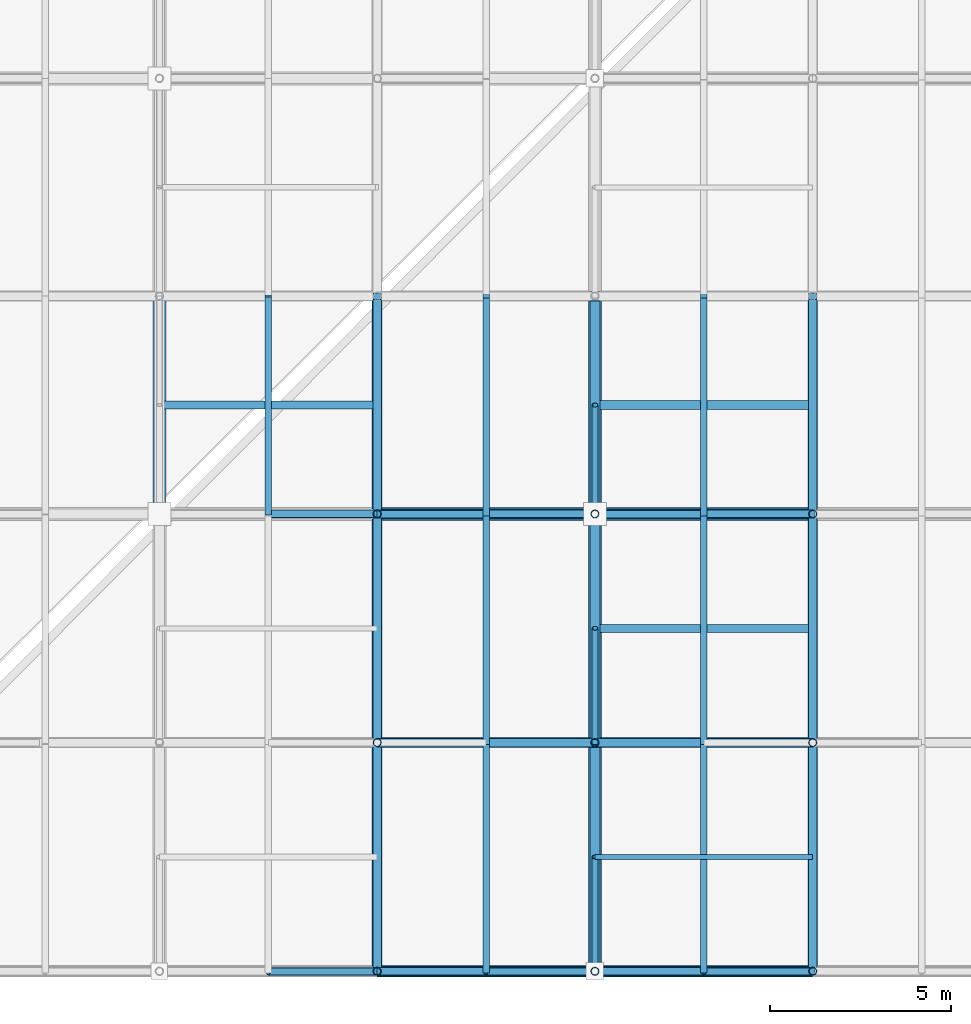
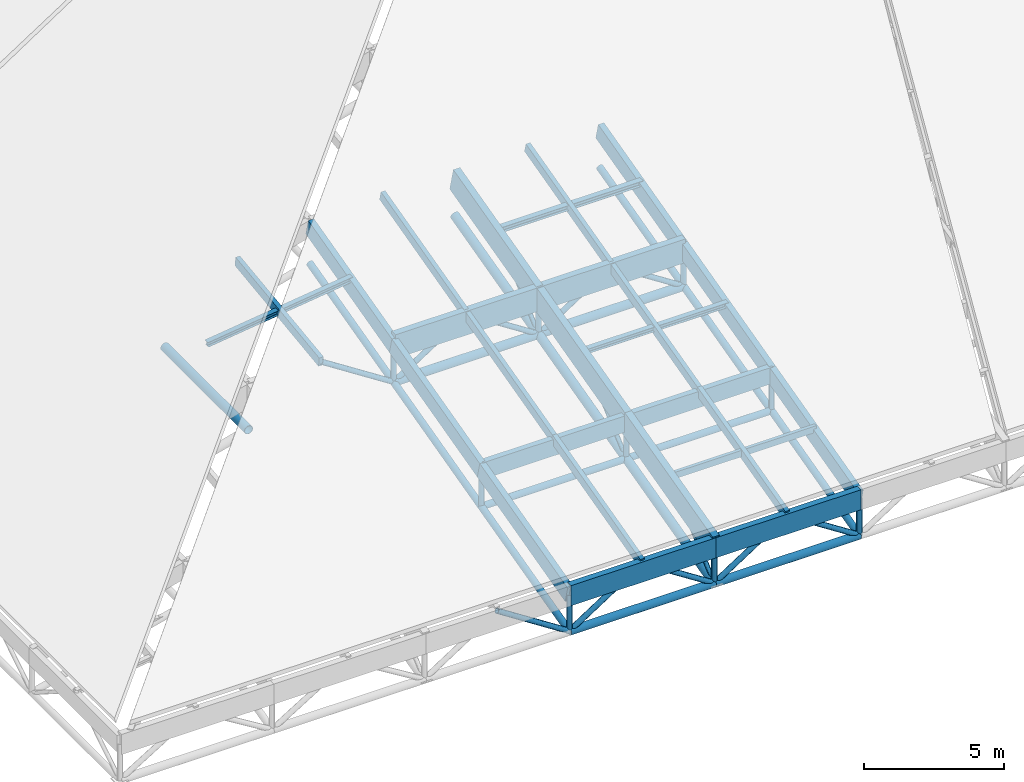
# One storey, part 4 of 80: 64 members.
"""IFC4 building model written with IfcOpenShell, lengths in metres."""

import ifcopenshell
import ifcopenshell.guid

model = None  # the IFC model being written
_history = None  # IfcOwnerHistory: only IFC2X3 demands one
_inside = {}  # id of a spatial element -> (the spatial element, [elements in it])
_under = {}  # id of a project, library or spatial element -> (it, [spatial elements below it])
_declared = {}  # id of a project -> (the project, [libraries it declares])
_typed = {}  # id of a type object -> (the type object, [elements of that type])
_made_of = {}  # id of a material, layer set ... -> (it, [elements and type objects made of it])


def new_model(schema):
    """Start an empty IFC model of exactly this schema.

    Asked for "IFC4X3", IfcOpenShell would pick the latest addendum, in which some entities
    have other attributes; the version numbers below select the first issue.
    IFC2X3 requires an IfcOwnerHistory on every rooted entity: one is made here for all.
    """
    global model, _history
    if schema == "IFC4X3":
        model = ifcopenshell.file(schema_version=(4, 3, 0, 0))
    else:
        model = ifcopenshell.file(schema=schema)
    _inside.clear()
    _under.clear()
    _declared.clear()
    _typed.clear()
    _made_of.clear()
    _history = None
    if model.schema == "IFC2X3":
        org = make("IfcOrganization", Name="unknown")
        user = make(
            "IfcPersonAndOrganization",
            ThePerson=make("IfcPerson", FamilyName="unknown"),
            TheOrganization=org,
        )
        app = make(
            "IfcApplication",
            ApplicationDeveloper=org,
            Version="unknown",
            ApplicationFullName="unknown",
            ApplicationIdentifier="unknown",
        )
        _history = make(
            "IfcOwnerHistory",
            OwningUser=user,
            OwningApplication=app,
            ChangeAction="ADDED",
            CreationDate=0,
        )
    return model


def make(cls, **values):
    """One entity of the class cls with the attributes given. An attribute that is None is left unset."""
    return model.create_entity(
        cls, **{name: value for name, value in values.items() if value is not None}
    )


def rooted(cls, **values):
    """An entity with a GlobalId (a new one), such as an element, a storey or a relation."""
    return make(cls, GlobalId=ifcopenshell.guid.new(), OwnerHistory=_history, **values)


def si_unit(unit_type, name, prefix=None):
    """IfcSIUnit, for example si_unit("LENGTHUNIT", "METRE", prefix="MILLI")."""
    return make("IfcSIUnit", UnitType=unit_type, Prefix=prefix, Name=name)


def assignment(units):
    """IfcUnitAssignment: the units of a project."""
    return None if units is None else make("IfcUnitAssignment", Units=units)


def point(xyz):
    """IfcCartesianPoint."""
    return None if xyz is None else make("IfcCartesianPoint", Coordinates=xyz)


def direction(xyz):
    """IfcDirection."""
    return None if xyz is None else make("IfcDirection", DirectionRatios=xyz)


def frame(location, z_axis=None, x_axis=None):
    """IfcAxis2Placement3D, a coordinate frame: its origin and axes. An axis left out is left unset."""
    return make(
        "IfcAxis2Placement3D",
        Location=point(location),
        Axis=direction(z_axis),
        RefDirection=direction(x_axis),
    )


def frame_2d(location, x_axis=None):
    """IfcAxis2Placement2D, a coordinate frame in the plane: its origin and x axis."""
    return make(
        "IfcAxis2Placement2D", Location=point(location), RefDirection=direction(x_axis)
    )


def origin():
    """The frame at (0, 0, 0) with its axes left unset."""
    return frame((0.0, 0.0, 0.0))


def origin_2d():
    """The frame at (0, 0) in the plane with its x axis left unset."""
    return frame_2d((0.0, 0.0))


def place(relative_to, where):
    """IfcLocalPlacement: puts the frame where relative to a parent placement (None: the world)."""
    return make(
        "IfcLocalPlacement", PlacementRelTo=relative_to, RelativePlacement=where
    )


def context(
    kind, dimensions, precision=None, world=None, true_north=None, identifier=None
):
    """IfcGeometricRepresentationContext, for example the 3D "Model" context."""
    return make(
        "IfcGeometricRepresentationContext",
        ContextIdentifier=identifier,
        ContextType=kind,
        CoordinateSpaceDimension=dimensions,
        Precision=precision,
        WorldCoordinateSystem=world,
        TrueNorth=true_north,
    )


def subcontext(parent, identifier, kind, view, scale=None):
    """IfcGeometricRepresentationSubContext, for example "Body" below "Model"."""
    return make(
        "IfcGeometricRepresentationSubContext",
        ContextIdentifier=identifier,
        ContextType=kind,
        ParentContext=parent,
        TargetScale=scale,
        TargetView=view,
    )


def project(units=None, contexts=None):
    """IfcProject with its units and contexts."""
    return rooted(
        "IfcProject",
        Name="project",
        RepresentationContexts=contexts,
        UnitsInContext=assignment(units),
    )


def spatial(cls, under=None, at=None, **own):
    """A site, building, storey or space (cls), placed at a placement, below another one or the project."""
    s = rooted(cls, ObjectPlacement=at, **own)
    if under is not None:
        _under.setdefault(under.id(), (under, []))[1].append(s)
    return s


def profile(cls, at=None, kind="AREA", **sizes):
    """A parametric profile (cls). Its sizes go by their IFC names, for example OverallWidth=200.0."""
    return make(cls, ProfileType=kind, Position=at, **sizes)


def rectangle(**sizes):
    """IfcRectangleProfileDef."""
    return profile("IfcRectangleProfileDef", **sizes)


def hollow_circle(**sizes):
    """IfcCircleHollowProfileDef."""
    return profile("IfcCircleHollowProfileDef", **sizes)


def i_section(**sizes):
    """IfcIShapeProfileDef."""
    return profile("IfcIShapeProfileDef", **sizes)


def extrude(swept, where, along, depth):
    """IfcExtrudedAreaSolid: the profile swept, set in the frame where, extruded along a direction by depth."""
    return make(
        "IfcExtrudedAreaSolid",
        SweptArea=swept,
        Position=where,
        ExtrudedDirection=direction(along),
        Depth=depth,
    )


def shape(context_of_items, identifier, shape_type, items):
    """IfcShapeRepresentation: the items that make up one representation, for example the "Body"."""
    return make(
        "IfcShapeRepresentation",
        ContextOfItems=context_of_items,
        RepresentationIdentifier=identifier,
        RepresentationType=shape_type,
        Items=items,
    )


def material(Name=None, Category=None):
    """IfcMaterial."""
    return make("IfcMaterial", Name=Name, Category=Category)


def material_profile(
    of_material, cross_section, Name=None, Category=None, Priority=None
):
    """IfcMaterialProfile: a cross section and its material."""
    return make(
        "IfcMaterialProfile",
        Name=Name,
        Material=of_material,
        Profile=cross_section,
        Priority=Priority,
        Category=Category,
    )


def profile_set(profiles, Name=None, composite=None):
    """IfcMaterialProfileSet."""
    return make(
        "IfcMaterialProfileSet",
        Name=Name,
        MaterialProfiles=profiles,
        CompositeProfile=composite,
    )


def made_of(thing, what):
    """Note that an element or type object is made of a material, layer set ...; save() writes the relation."""
    if what is not None:
        _made_of.setdefault(what.id(), (what, []))[1].append(thing)
    return thing


def type_object(cls, material=None, **own):
    """A type object (cls), such as IfcWallType, which elements share."""
    return made_of(rooted(cls, **own), material)


def element(
    cls,
    number,
    at=None,
    inside=None,
    cuts=None,
    type_object=None,
    material=None,
    context=None,
    identifier="Body",
    shape_type=None,
    held_by="IfcProductDefinitionShape",
    body=None,
    shapes=None,
    **own,
):
    """One element of the class cls, such as IfcWall. Its Tag is "e" and its number.

    at: its placement. inside: the storey or other place that contains it. cuts: it is an
    opening in that element (IfcRelVoidsElement). A single representation is given by context,
    identifier, shape_type and body (its items); several are given by shapes. held_by: the class
    of the entity that holds the representations. save() writes the other relations.
    """
    e = rooted(cls, Tag="e%d" % number, ObjectPlacement=at, **own)
    if body is not None:
        shapes = [shape(context, identifier, shape_type, body)]
    if shapes is not None:
        e.Representation = make(held_by, Representations=shapes)
    if inside is not None:
        _inside.setdefault(inside.id(), (inside, []))[1].append(e)
    if cuts is not None:
        rooted(
            "IfcRelVoidsElement", RelatingBuildingElement=cuts, RelatedOpeningElement=e
        )
    if type_object is not None:
        _typed.setdefault(type_object.id(), (type_object, []))[1].append(e)
    return made_of(e, material)


def aggregate(whole, parts):
    """IfcRelAggregates: a whole, such as a stair, and the parts it consists of."""
    return rooted("IfcRelAggregates", RelatingObject=whole, RelatedObjects=parts)


def save(model, path):
    """Write the relations noted so far, then the file.

    IfcRelAggregates (storeys below a building ...), IfcRelContainedInSpatialStructure (elements
    in a storey), IfcRelDefinesByType, IfcRelAssociatesMaterial and IfcRelDeclares: one each for
    every whole, place, type object, material and project.
    """
    for whole, parts in _under.values():
        aggregate(whole, parts)
    for where, things in _inside.values():
        rooted(
            "IfcRelContainedInSpatialStructure",
            RelatedElements=things,
            RelatingStructure=where,
        )
    for kind, things in _typed.values():
        rooted("IfcRelDefinesByType", RelatedObjects=things, RelatingType=kind)
    for what, things in _made_of.values():
        rooted("IfcRelAssociatesMaterial", RelatedObjects=things, RelatingMaterial=what)
    for by, libraries in _declared.values():
        rooted("IfcRelDeclares", RelatingContext=by, RelatedDefinitions=libraries)
    model.write(path)


model = new_model("IFC4")

# Units and contexts
model_context = context("Model", 3, precision=1e-05, world=origin(), true_north=direction((0.0, 1.0)))
body_context = subcontext(model_context, "Body", "Model", "MODEL_VIEW")
ifc_project = project(units=[si_unit("LENGTHUNIT", "METRE"), si_unit("AREAUNIT", "SQUARE_METRE"), si_unit("VOLUMEUNIT", "CUBIC_METRE"), si_unit("PLANEANGLEUNIT", "RADIAN"), si_unit("MASSUNIT", "GRAM", prefix="KILO"), si_unit("THERMODYNAMICTEMPERATUREUNIT", "KELVIN"), si_unit("POWERUNIT", "WATT")], contexts=[model_context])

# Site, building, storey
site_placement = place(None, origin())
site = spatial("IfcSite", under=ifc_project, at=site_placement, CompositionType="ELEMENT")
building_placement = place(site_placement, origin())
building = spatial("IfcBuilding", under=site, at=building_placement, Name="Solmara Park Aquatics Centre", CompositionType="ELEMENT")
storey_placement = place(building_placement, frame((0.0, 0.0, 22.800048828125)))
storey = spatial("IfcBuildingStorey", under=building, at=storey_placement, Name="RF", CompositionType="ELEMENT", Elevation=22.800048828125)

# Members
ifc_material_1 = material(Name="Structural Steel S355", Category="steel")
ifc_material_profile_1 = material_profile(ifc_material_1, hollow_circle(Radius=0.084228515625, WallThickness=0.008056640625, at=origin_2d()), Name="CHS 168.3x8")
ifc_profile_set_1 = profile_set([ifc_material_profile_1], Name="Structural Steel S355")
member_type_1 = type_object("IfcMemberType", Name="STR-BRC-CHS168", PredefinedType="BRACE", material=ifc_profile_set_1)
for number, where, z_axis, x_axis, name in (
    (1, (24.60009765625, 0.0, -14.400146484375), (0.0, 0.748026356938, 0.663669020917), (-1.0, 0.0, 0.0), "Roof Truss Web Diagonal Y 1851"),
    (2, (24.60009765625, 6.300048828125, -12.770751953125), (0.0, 0.748026356938, 0.663669020917), (-1.0, 0.0, 0.0), "Roof Truss Web Diagonal Y 1872"),
):
    element("IfcMember", number, at=place(storey_placement, frame(where, z_axis=z_axis, x_axis=x_axis)), inside=storey, type_object=member_type_1, Name=name, PredefinedType="BRACE", context=body_context, shape_type="SweptSolid", body=[
        extrude(hollow_circle(Radius=0.084228515625, WallThickness=0.008056640625, at=origin_2d()), origin(), (0.0, 0.0, 1.0), 4.2109375),
    ])
member_1_placement = place(storey_placement, frame((24.60009765625, 12.60009765625, -11.141357421875), z_axis=(0.0, 0.736467121275, 0.676473339667), x_axis=(-1.0, 0.0, 0.0)))
element("IfcMember", 3, at=member_1_placement, inside=storey, type_object=member_type_1, Name="Roof Truss Web Diagonal Y 1894", PredefinedType="BRACE", context=body_context, shape_type="SweptSolid", body=[
    extrude(hollow_circle(Radius=0.084228515625, WallThickness=0.008056640625, at=origin_2d()), origin(), (0.0, 0.0, 1.0), 4.073486328125),
])
ifc_material_profile_2 = material_profile(ifc_material_1, hollow_circle(Radius=0.109619140625, WallThickness=0.010009765625, at=origin_2d()), Name="CHS 219.1x10")
ifc_profile_set_2 = profile_set([ifc_material_profile_2], Name="Structural Steel S355")
member_type_2 = type_object("IfcMemberType", Name="STR-BRC-CHS219", PredefinedType="BRACE", material=ifc_profile_set_2)
member_2_placement = place(storey_placement, frame((18.60009765625, 0.0, -14.400146484375), z_axis=(-0.839696636896, 0.0, 0.543055759555), x_axis=(0.0, -1.0, 0.0)))
element("IfcMember", 4, at=member_2_placement, inside=storey, type_object=member_type_2, Name="Roof Truss Web Diagonal X 1410", PredefinedType="BRACE", context=body_context, shape_type="SweptSolid", body=[
    extrude(hollow_circle(Radius=0.109619140625, WallThickness=0.010009765625, at=origin_2d()), origin(), (0.0, 0.0, 1.0), 3.57275390625),
])
member_3_placement = place(storey_placement, frame((18.60009765625, 12.60009765625, -11.141357421875), z_axis=(-0.83972779743, 0.0, 0.543007574738), x_axis=(0.0, -1.0, 0.0)))
element("IfcMember", 5, at=member_3_placement, inside=storey, type_object=member_type_2, Name="Roof Truss Web Diagonal X 1412", PredefinedType="BRACE", context=body_context, shape_type="SweptSolid", body=[
    extrude(hollow_circle(Radius=0.109619140625, WallThickness=0.010009765625, at=origin_2d()), origin(), (0.0, 0.0, 1.0), 3.572509765625),
])
for number, where, z_axis, x_axis, name in (
    (6, (18.60009765625, 0.0, -14.400146484375), (0.839696636896, 0.0, 0.543055759555), (0.0, 1.0, 0.0), "Roof Truss Web Diagonal X 1435"),
    (7, (24.60009765625, 0.0, -14.400146484375), (-0.839696636896, 0.0, 0.543055759555), (0.0, -1.0, 0.0), "Roof Truss Web Diagonal X 1436"),
):
    element("IfcMember", number, at=place(storey_placement, frame(where, z_axis=z_axis, x_axis=x_axis)), inside=storey, type_object=member_type_2, Name=name, PredefinedType="BRACE", context=body_context, shape_type="SweptSolid", body=[
        extrude(hollow_circle(Radius=0.109619140625, WallThickness=0.010009765625, at=origin_2d()), origin(), (0.0, 0.0, 1.0), 3.57275390625),
    ])
for number, where, z_axis, x_axis, name in (
    (8, (18.60009765625, 12.60009765625, -11.141357421875), (0.83972779743, 0.0, 0.543007574738), (0.0, 1.0, 0.0), "Roof Truss Web Diagonal X 1437"),
    (9, (24.60009765625, 12.60009765625, -11.141357421875), (-0.83972779743, 0.0, 0.543007574738), (0.0, -1.0, 0.0), "Roof Truss Web Diagonal X 1438"),
):
    element("IfcMember", number, at=place(storey_placement, frame(where, z_axis=z_axis, x_axis=x_axis)), inside=storey, type_object=member_type_2, Name=name, PredefinedType="BRACE", context=body_context, shape_type="SweptSolid", body=[
        extrude(hollow_circle(Radius=0.109619140625, WallThickness=0.010009765625, at=origin_2d()), origin(), (0.0, 0.0, 1.0), 3.572509765625),
    ])
for number, where, z_axis, x_axis, name in (
    (10, (24.60009765625, 0.0, -14.400146484375), (0.839696636896, 0.0, 0.543055759555), (0.0, 1.0, 0.0), "Roof Truss Web Diagonal X 1461"),
    (11, (30.60009765625, 0.0, -14.400146484375), (-0.839696636896, 0.0, 0.543055759555), (0.0, -1.0, 0.0), "Roof Truss Web Diagonal X 1462"),
):
    element("IfcMember", number, at=place(storey_placement, frame(where, z_axis=z_axis, x_axis=x_axis)), inside=storey, type_object=member_type_2, Name=name, PredefinedType="BRACE", context=body_context, shape_type="SweptSolid", body=[
        extrude(hollow_circle(Radius=0.109619140625, WallThickness=0.010009765625, at=origin_2d()), origin(), (0.0, 0.0, 1.0), 3.57275390625),
    ])
for number, where, z_axis, x_axis, name in (
    (12, (24.60009765625, 12.60009765625, -11.141357421875), (0.83972779743, 0.0, 0.543007574738), (0.0, 1.0, 0.0), "Roof Truss Web Diagonal X 1463"),
    (13, (30.60009765625, 12.60009765625, -11.141357421875), (-0.83972779743, 0.0, 0.543007574738), (0.0, -1.0, 0.0), "Roof Truss Web Diagonal X 1464"),
):
    element("IfcMember", number, at=place(storey_placement, frame(where, z_axis=z_axis, x_axis=x_axis)), inside=storey, type_object=member_type_2, Name=name, PredefinedType="BRACE", context=body_context, shape_type="SweptSolid", body=[
        extrude(hollow_circle(Radius=0.109619140625, WallThickness=0.010009765625, at=origin_2d()), origin(), (0.0, 0.0, 1.0), 3.572509765625),
    ])
ifc_material_profile_3 = material_profile(ifc_material_1, hollow_circle(Radius=0.136474609375, WallThickness=0.012451171875, at=origin_2d()), Name="CHS 273x12.5")
ifc_profile_set_3 = profile_set([ifc_material_profile_3], Name="Structural Steel S355")
member_type_3 = type_object("IfcMemberType", Name="STR-CHD-CHS273", PredefinedType="CHORD", material=ifc_profile_set_3)
for number, where, z_axis, x_axis, name in (
    (14, (18.60009765625, 6.300048828125, -12.770751953125), (1.0, 0.0, 0.0), (0.0, 1.0, 0.0), "Steel Roof Truss Bottom Chord X 0044"),
    (15, (24.60009765625, 6.300048828125, -12.770751953125), (1.0, 0.0, 0.0), (0.0, 1.0, 0.0), "Steel Roof Truss Bottom Chord X 0046"),
):
    element("IfcMember", number, at=place(storey_placement, frame(where, z_axis=z_axis, x_axis=x_axis)), inside=storey, type_object=member_type_3, Name=name, PredefinedType="CHORD", context=body_context, shape_type="SweptSolid", body=[
        extrude(hollow_circle(Radius=0.136474609375, WallThickness=0.012451171875, at=origin_2d()), origin(), (0.0, 0.0, 1.0), 6.0),
    ])
for number, where, z_axis, x_axis, name in (
    (16, (18.60009765625, 0.0, -14.400146484375), (0.0, 0.968144245908, 0.25039312913), (-1.0, 0.0, 0.0), "Steel Roof Truss Bottom Chord Y 0626"),
    (17, (18.60009765625, 6.300048828125, -12.770751953125), (0.0, 0.968144245908, 0.25039312913), (-1.0, 0.0, 0.0), "Steel Roof Truss Bottom Chord Y 0628"),
):
    element("IfcMember", number, at=place(storey_placement, frame(where, z_axis=z_axis, x_axis=x_axis)), inside=storey, type_object=member_type_3, Name=name, PredefinedType="CHORD", context=body_context, shape_type="SweptSolid", body=[
        extrude(hollow_circle(Radius=0.136474609375, WallThickness=0.012451171875, at=origin_2d()), origin(), (0.0, 0.0, 1.0), 6.50732421875),
    ])
member_4_placement = place(storey_placement, frame((18.60009765625, 12.60009765625, -11.141357421875), z_axis=(0.0, 0.968155143395, 0.250350990246), x_axis=(-1.0, 0.0, 0.0)))
element("IfcMember", 18, at=member_4_placement, inside=storey, type_object=member_type_3, Name="Steel Roof Truss Bottom Chord Y 0630", PredefinedType="CHORD", context=body_context, shape_type="SweptSolid", body=[
    extrude(hollow_circle(Radius=0.136474609375, WallThickness=0.012451171875, at=origin_2d()), origin(), (0.0, 0.0, 1.0), 6.197265625),
])
for number, where, z_axis, x_axis, name in (
    (19, (30.60009765625, 0.0, -14.400146484375), (0.0, 0.968144245908, 0.25039312913), (-1.0, 0.0, 0.0), "Steel Roof Truss Bottom Chord Y 0682"),
    (20, (30.60009765625, 6.300048828125, -12.770751953125), (0.0, 0.968144245908, 0.25039312913), (-1.0, 0.0, 0.0), "Steel Roof Truss Bottom Chord Y 0684"),
):
    element("IfcMember", number, at=place(storey_placement, frame(where, z_axis=z_axis, x_axis=x_axis)), inside=storey, type_object=member_type_3, Name=name, PredefinedType="CHORD", context=body_context, shape_type="SweptSolid", body=[
        extrude(hollow_circle(Radius=0.136474609375, WallThickness=0.012451171875, at=origin_2d()), origin(), (0.0, 0.0, 1.0), 6.50732421875),
    ])
member_5_placement = place(storey_placement, frame((30.60009765625, 12.60009765625, -11.141357421875), z_axis=(0.0, 0.968155143395, 0.250350990246), x_axis=(-1.0, 0.0, 0.0)))
element("IfcMember", 21, at=member_5_placement, inside=storey, type_object=member_type_3, Name="Steel Roof Truss Bottom Chord Y 0686", PredefinedType="CHORD", context=body_context, shape_type="SweptSolid", body=[
    extrude(hollow_circle(Radius=0.136474609375, WallThickness=0.012451171875, at=origin_2d()), origin(), (0.0, 0.0, 1.0), 6.197265625),
])
ifc_material_profile_4 = material_profile(ifc_material_1, hollow_circle(Radius=0.161865234375, WallThickness=0.01611328125, at=origin_2d()), Name="CHS 323.9x16")
ifc_profile_set_4 = profile_set([ifc_material_profile_4], Name="Structural Steel S355")
member_type_4 = type_object("IfcMemberType", Name="STR-CHD-CHS323", PredefinedType="CHORD", material=ifc_profile_set_4)
for number, where, z_axis, x_axis, name in (
    (22, (18.60009765625, 0.0, -14.400146484375), (1.0, 0.0, 0.0), (0.0, 1.0, 0.0), "Steel Roof Truss Bottom Chord X 0008"),
    (23, (24.60009765625, 0.0, -14.400146484375), (1.0, 0.0, 0.0), (0.0, 1.0, 0.0), "Steel Roof Truss Bottom Chord X 0010"),
):
    element("IfcMember", number, at=place(storey_placement, frame(where, z_axis=z_axis, x_axis=x_axis)), inside=storey, type_object=member_type_4, Name=name, PredefinedType="CHORD", context=body_context, shape_type="SweptSolid", body=[
        extrude(hollow_circle(Radius=0.161865234375, WallThickness=0.01611328125, at=origin_2d()), origin(), (0.0, 0.0, 1.0), 6.0),
    ])
ifc_material_profile_5 = material_profile(ifc_material_1, hollow_circle(Radius=0.177734375, WallThickness=0.01611328125, at=origin_2d()), Name="CHS 355.6x16")
ifc_profile_set_5 = profile_set([ifc_material_profile_5], Name="Structural Steel S355")
member_type_5 = type_object("IfcMemberType", Name="STR-CHD-CHS355", PredefinedType="CHORD", material=ifc_profile_set_5)
for number, where, z_axis, x_axis, name in (
    (24, (18.60009765625, 12.60009765625, -11.141357421875), (1.0, 0.0, 0.0), (0.0, 1.0, 0.0), "Steel Roof Truss Bottom Chord X 0080"),
    (25, (24.60009765625, 12.60009765625, -11.141357421875), (1.0, 0.0, 0.0), (0.0, 1.0, 0.0), "Steel Roof Truss Bottom Chord X 0082"),
    (26, (12.60009765625, 12.60009765625, -11.141357421875), (0.0, 1.0, 0.0), (-1.0, 0.0, 0.0), "Steel Roof Truss Bottom Chord Y 0602"),
):
    element("IfcMember", number, at=place(storey_placement, frame(where, z_axis=z_axis, x_axis=x_axis)), inside=storey, type_object=member_type_5, Name=name, PredefinedType="CHORD", context=body_context, shape_type="SweptSolid", body=[
        extrude(hollow_circle(Radius=0.177734375, WallThickness=0.01611328125, at=origin_2d()), origin(), (0.0, 0.0, 1.0), 6.0),
    ])
for number, where, z_axis, x_axis, name in (
    (27, (24.60009765625, 0.0, -14.400146484375), (0.0, 0.968144245908, 0.25039312913), (-1.0, 0.0, 0.0), "Steel Roof Truss Bottom Chord Y 0654"),
    (28, (24.60009765625, 6.300048828125, -12.770751953125), (0.0, 0.968144245908, 0.25039312913), (-1.0, 0.0, 0.0), "Steel Roof Truss Bottom Chord Y 0656"),
):
    element("IfcMember", number, at=place(storey_placement, frame(where, z_axis=z_axis, x_axis=x_axis)), inside=storey, type_object=member_type_5, Name=name, PredefinedType="CHORD", context=body_context, shape_type="SweptSolid", body=[
        extrude(hollow_circle(Radius=0.177734375, WallThickness=0.01611328125, at=origin_2d()), origin(), (0.0, 0.0, 1.0), 6.50732421875),
    ])
member_6_placement = place(storey_placement, frame((24.60009765625, 12.60009765625, -11.141357421875), z_axis=(0.0, 0.968155143395, 0.250350990246), x_axis=(-1.0, 0.0, 0.0)))
element("IfcMember", 29, at=member_6_placement, inside=storey, type_object=member_type_5, Name="Steel Roof Truss Bottom Chord Y 0658", PredefinedType="CHORD", context=body_context, shape_type="SweptSolid", body=[
    extrude(hollow_circle(Radius=0.177734375, WallThickness=0.01611328125, at=origin_2d()), origin(), (0.0, 0.0, 1.0), 6.197265625),
])
ifc_material_2 = material(Name="Glulam Timber GL28h", Category="wood")
ifc_material_profile_6 = material_profile(ifc_material_2, rectangle(XDim=0.239990234375, YDim=0.719970703125, at=origin_2d()), Name="GL28h 240x720")
ifc_profile_set_6 = profile_set([ifc_material_profile_6], Name="Glulam Timber GL28h")
member_type_6 = type_object("IfcMemberType", Name="STR-CHD-GL240x720", PredefinedType="CHORD", material=ifc_profile_set_6)
for number, where, z_axis, x_axis, name in (
    (30, (18.60009765625, 6.300048828125, -11.150634765625), (1.0, 0.0, 0.0), (0.0, 1.0, 0.0), "Glulam Roof Truss Top Chord X 0043"),
    (31, (24.60009765625, 6.300048828125, -11.150634765625), (1.0, 0.0, 0.0), (0.0, 1.0, 0.0), "Glulam Roof Truss Top Chord X 0045"),
):
    element("IfcMember", number, at=place(storey_placement, frame(where, z_axis=z_axis, x_axis=x_axis)), inside=storey, type_object=member_type_6, Name=name, PredefinedType="CHORD", context=body_context, shape_type="SweptSolid", body=[
        extrude(rectangle(XDim=0.239990234375, YDim=0.719970703125, at=origin_2d()), origin(), (0.0, 0.0, 1.0), 6.0),
    ])
for number, where, z_axis, x_axis, name in (
    (32, (18.60009765625, 0.0, -12.780029296875), (0.0, 0.968144245908, 0.25039312913), (-1.0, 0.0, 0.0), "Glulam Roof Truss Top Chord Y 0625"),
    (33, (18.60009765625, 6.300048828125, -11.150634765625), (0.0, 0.96815334027, 0.250357963171), (-1.0, 0.0, 0.0), "Glulam Roof Truss Top Chord Y 0627"),
):
    element("IfcMember", number, at=place(storey_placement, frame(where, z_axis=z_axis, x_axis=x_axis)), inside=storey, type_object=member_type_6, Name=name, PredefinedType="CHORD", context=body_context, shape_type="SweptSolid", body=[
        extrude(rectangle(XDim=0.239990234375, YDim=0.719970703125, at=origin_2d()), origin(), (0.0, 0.0, 1.0), 6.50732421875),
    ])
member_7_placement = place(storey_placement, frame((18.60009765625, 12.60009765625, -9.521484375), z_axis=(0.0, 0.968145594442, 0.250387914969), x_axis=(-1.0, 0.0, 0.0)))
element("IfcMember", 34, at=member_7_placement, inside=storey, type_object=member_type_6, Name="Glulam Roof Truss Top Chord Y 0629", PredefinedType="CHORD", context=body_context, shape_type="SweptSolid", body=[
    extrude(rectangle(XDim=0.239990234375, YDim=0.719970703125, at=origin_2d()), origin(), (0.0, 0.0, 1.0), 6.197509765625),
])
for number, where, z_axis, x_axis, name in (
    (35, (30.60009765625, 0.0, -12.780029296875), (0.0, 0.968144245908, 0.25039312913), (-1.0, 0.0, 0.0), "Glulam Roof Truss Top Chord Y 0681"),
    (36, (30.60009765625, 6.300048828125, -11.150634765625), (0.0, 0.96815334027, 0.250357963171), (-1.0, 0.0, 0.0), "Glulam Roof Truss Top Chord Y 0683"),
):
    element("IfcMember", number, at=place(storey_placement, frame(where, z_axis=z_axis, x_axis=x_axis)), inside=storey, type_object=member_type_6, Name=name, PredefinedType="CHORD", context=body_context, shape_type="SweptSolid", body=[
        extrude(rectangle(XDim=0.239990234375, YDim=0.719970703125, at=origin_2d()), origin(), (0.0, 0.0, 1.0), 6.50732421875),
    ])
member_8_placement = place(storey_placement, frame((30.60009765625, 12.60009765625, -9.521484375), z_axis=(0.0, 0.968145594442, 0.250387914969), x_axis=(-1.0, 0.0, 0.0)))
element("IfcMember", 37, at=member_8_placement, inside=storey, type_object=member_type_6, Name="Glulam Roof Truss Top Chord Y 0685", PredefinedType="CHORD", context=body_context, shape_type="SweptSolid", body=[
    extrude(rectangle(XDim=0.239990234375, YDim=0.719970703125, at=origin_2d()), origin(), (0.0, 0.0, 1.0), 6.197509765625),
])
ifc_material_profile_7 = material_profile(ifc_material_2, rectangle(XDim=0.260009765625, YDim=0.8798828125, at=origin_2d()), Name="GL28h 260x880")
ifc_profile_set_7 = profile_set([ifc_material_profile_7], Name="Glulam Timber GL28h")
member_type_7 = type_object("IfcMemberType", Name="STR-CHD-GL260x880", PredefinedType="CHORD", material=ifc_profile_set_7)
for number, where, z_axis, x_axis, name in (
    (38, (18.60009765625, 0.0, -12.780029296875), (1.0, 0.0, 0.0), (0.0, 1.0, 0.0), "Glulam Roof Truss Top Chord X 0007"),
    (39, (24.60009765625, 0.0, -12.780029296875), (1.0, 0.0, 0.0), (0.0, 1.0, 0.0), "Glulam Roof Truss Top Chord X 0009"),
):
    element("IfcMember", number, at=place(storey_placement, frame(where, z_axis=z_axis, x_axis=x_axis)), inside=storey, type_object=member_type_7, Name=name, PredefinedType="CHORD", context=body_context, shape_type="SweptSolid", body=[
        extrude(rectangle(XDim=0.260009765625, YDim=0.8798828125, at=origin_2d()), origin(), (0.0, 0.0, 1.0), 6.0),
    ])
ifc_material_profile_8 = material_profile(ifc_material_2, rectangle(XDim=0.280029296875, YDim=1.0400390625, at=origin_2d()), Name="GL28h 280x1040")
ifc_profile_set_8 = profile_set([ifc_material_profile_8], Name="Glulam Timber GL28h")
member_type_8 = type_object("IfcMemberType", Name="STR-CHD-GL280x1040", PredefinedType="CHORD", material=ifc_profile_set_8)
for number, where, z_axis, x_axis, name in (
    (40, (18.60009765625, 12.60009765625, -9.521484375), (1.0, 0.0, 0.0), (0.0, 1.0, 0.0), "Glulam Roof Truss Top Chord X 0079"),
    (41, (24.60009765625, 12.60009765625, -9.521484375), (1.0, 0.0, 0.0), (0.0, 1.0, 0.0), "Glulam Roof Truss Top Chord X 0081"),
):
    element("IfcMember", number, at=place(storey_placement, frame(where, z_axis=z_axis, x_axis=x_axis)), inside=storey, type_object=member_type_8, Name=name, PredefinedType="CHORD", context=body_context, shape_type="SweptSolid", body=[
        extrude(rectangle(XDim=0.280029296875, YDim=1.0400390625, at=origin_2d()), origin(), (0.0, 0.0, 1.0), 6.0),
    ])
for number, where, z_axis, x_axis, name in (
    (42, (24.60009765625, 0.0, -12.780029296875), (0.0, 0.968144245908, 0.25039312913), (-1.0, 0.0, 0.0), "Glulam Roof Truss Top Chord Y 0653"),
    (43, (24.60009765625, 6.300048828125, -11.150634765625), (0.0, 0.96815334027, 0.250357963171), (-1.0, 0.0, 0.0), "Glulam Roof Truss Top Chord Y 0655"),
):
    element("IfcMember", number, at=place(storey_placement, frame(where, z_axis=z_axis, x_axis=x_axis)), inside=storey, type_object=member_type_8, Name=name, PredefinedType="CHORD", context=body_context, shape_type="SweptSolid", body=[
        extrude(rectangle(XDim=0.280029296875, YDim=1.0400390625, at=origin_2d()), origin(), (0.0, 0.0, 1.0), 6.50732421875),
    ])
member_9_placement = place(storey_placement, frame((24.60009765625, 12.60009765625, -9.521484375), z_axis=(0.0, 0.968145594442, 0.250387914969), x_axis=(-1.0, 0.0, 0.0)))
element("IfcMember", 44, at=member_9_placement, inside=storey, type_object=member_type_8, Name="Glulam Roof Truss Top Chord Y 0657", PredefinedType="CHORD", context=body_context, shape_type="SweptSolid", body=[
    extrude(rectangle(XDim=0.280029296875, YDim=1.0400390625, at=origin_2d()), origin(), (0.0, 0.0, 1.0), 6.197509765625),
])
ifc_material_profile_9 = material_profile(ifc_material_2, rectangle(XDim=0.139892578125, YDim=0.280029296875, at=origin_2d()), Name="GL28h 140x280")
ifc_profile_set_9 = profile_set([ifc_material_profile_9], Name="Glulam Timber GL28h")
member_type_9 = type_object("IfcMemberType", Name="STR-PRL-GL140x280", PredefinedType="PURLIN", material=ifc_profile_set_9)
member_10_placement = place(storey_placement, frame((24.60009765625, 3.14990234375, -11.62548828125), z_axis=(1.0, 0.0, 0.0), x_axis=(0.0, 1.0, 0.0)))
element("IfcMember", 45, at=member_10_placement, inside=storey, type_object=member_type_9, Name="Glulam Secondary Roof Purlin 1841", PredefinedType="PURLIN", context=body_context, shape_type="SweptSolid", body=[
    extrude(rectangle(XDim=0.139892578125, YDim=0.280029296875, at=origin_2d()), origin(), (0.0, 0.0, 1.0), 6.0),
])
ifc_material_profile_10 = material_profile(ifc_material_2, rectangle(XDim=0.179931640625, YDim=0.39990234375, at=origin_2d()), Name="GL28h 180x400")
ifc_profile_set_10 = profile_set([ifc_material_profile_10], Name="Glulam Timber GL28h")
member_type_10 = type_object("IfcMemberType", Name="STR-PRL-GL180x400", PredefinedType="PURLIN", material=ifc_profile_set_10)
member_11_placement = place(storey_placement, frame((15.60009765625, 12.60009765625, -9.201416015625), z_axis=(0.0, 0.991742472473, 0.128245344137), x_axis=(-1.0, 0.0, 0.0)))
element("IfcMember", 46, at=member_11_placement, inside=storey, type_object=member_type_10, Name="Glulam Roof Purlin 1397", PredefinedType="PURLIN", context=body_context, shape_type="SweptSolid", body=[
    extrude(rectangle(XDim=0.179931640625, YDim=0.39990234375, at=origin_2d()), origin(), (0.0, 0.0, 1.0), 6.050048828125),
])
for number, where, z_axis, x_axis, name in (
    (47, (21.60009765625, 0.0, -12.4599609375), (0.0, 0.96815334027, 0.250357963171), (-1.0, 0.0, 0.0), "Glulam Roof Purlin 1421"),
    (48, (21.60009765625, 6.300048828125, -10.830810546875), (0.0, 0.968144245908, 0.25039312913), (-1.0, 0.0, 0.0), "Glulam Roof Purlin 1422"),
):
    element("IfcMember", number, at=place(storey_placement, frame(where, z_axis=z_axis, x_axis=x_axis)), inside=storey, type_object=member_type_10, Name=name, PredefinedType="PURLIN", context=body_context, shape_type="SweptSolid", body=[
        extrude(rectangle(XDim=0.179931640625, YDim=0.39990234375, at=origin_2d()), origin(), (0.0, 0.0, 1.0), 6.50732421875),
    ])
member_12_placement = place(storey_placement, frame((21.60009765625, 12.60009765625, -9.201416015625), z_axis=(0.0, 0.968145594442, 0.250387914969), x_axis=(-1.0, 0.0, 0.0)))
element("IfcMember", 49, at=member_12_placement, inside=storey, type_object=member_type_10, Name="Glulam Roof Purlin 1423", PredefinedType="PURLIN", context=body_context, shape_type="SweptSolid", body=[
    extrude(rectangle(XDim=0.179931640625, YDim=0.39990234375, at=origin_2d()), origin(), (0.0, 0.0, 1.0), 6.197509765625),
])
for number, where, z_axis, x_axis, name in (
    (50, (27.60009765625, 0.0, -12.4599609375), (0.0, 0.96815334027, 0.250357963171), (-1.0, 0.0, 0.0), "Glulam Roof Purlin 1447"),
    (51, (27.60009765625, 6.300048828125, -10.830810546875), (0.0, 0.968144245908, 0.25039312913), (-1.0, 0.0, 0.0), "Glulam Roof Purlin 1448"),
):
    element("IfcMember", number, at=place(storey_placement, frame(where, z_axis=z_axis, x_axis=x_axis)), inside=storey, type_object=member_type_10, Name=name, PredefinedType="PURLIN", context=body_context, shape_type="SweptSolid", body=[
        extrude(rectangle(XDim=0.179931640625, YDim=0.39990234375, at=origin_2d()), origin(), (0.0, 0.0, 1.0), 6.50732421875),
    ])
member_13_placement = place(storey_placement, frame((27.60009765625, 12.60009765625, -9.201416015625), z_axis=(0.0, 0.968145594442, 0.250387914969), x_axis=(-1.0, 0.0, 0.0)))
element("IfcMember", 52, at=member_13_placement, inside=storey, type_object=member_type_10, Name="Glulam Roof Purlin 1449", PredefinedType="PURLIN", context=body_context, shape_type="SweptSolid", body=[
    extrude(rectangle(XDim=0.179931640625, YDim=0.39990234375, at=origin_2d()), origin(), (0.0, 0.0, 1.0), 6.197509765625),
])
ifc_material_profile_11 = material_profile(ifc_material_1, i_section(OverallWidth=0.219970703125, OverallDepth=0.2099609375, WebThickness=0.007080078125, FlangeThickness=0.010986328125, FilletRadius=0.01806640625, at=origin_2d()), Name="HEA 220")
ifc_profile_set_11 = profile_set([ifc_material_profile_11], Name="Structural Steel S355")
member_type_11 = type_object("IfcMemberType", Name="STR-PRL-HEA220", PredefinedType="PURLIN", material=ifc_profile_set_11)
member_14_placement = place(storey_placement, frame((24.60009765625, 9.449951171875, -9.99609375), z_axis=(1.0, 0.0, 0.0), x_axis=(0.0, 1.0, 0.0)))
element("IfcMember", 53, at=member_14_placement, inside=storey, type_object=member_type_11, Name="Glulam Secondary Roof Purlin 1862", PredefinedType="PURLIN", context=body_context, shape_type="SweptSolid", body=[
    extrude(i_section(OverallWidth=0.219970703125, OverallDepth=0.2099609375, WebThickness=0.007080078125, FlangeThickness=0.010986328125, FilletRadius=0.01806640625, at=origin_2d()), origin(), (0.0, 0.0, 1.0), 6.0),
])
member_15_placement = place(storey_placement, frame((12.60009765625, 15.60009765625, -9.181396484375), z_axis=(0.991747604197, 0.0, 0.128205653423), x_axis=(0.0, 1.0, 0.0)))
element("IfcMember", 54, at=member_15_placement, inside=storey, type_object=member_type_11, Name="Glulam Secondary Roof Purlin 1882", PredefinedType="PURLIN", context=body_context, shape_type="SweptSolid", body=[
    extrude(i_section(OverallWidth=0.219970703125, OverallDepth=0.2099609375, WebThickness=0.007080078125, FlangeThickness=0.010986328125, FilletRadius=0.01806640625, at=origin_2d()), origin(), (0.0, 0.0, 1.0), 6.0498046875),
])
ifc_material_profile_12 = material_profile(ifc_material_1, i_section(OverallWidth=0.239990234375, OverallDepth=0.22998046875, WebThickness=0.007568359375, FlangeThickness=0.011962890625, FilletRadius=0.02099609375, at=origin_2d()), Name="HEA 240")
ifc_profile_set_12 = profile_set([ifc_material_profile_12], Name="Structural Steel S355")
member_type_12 = type_object("IfcMemberType", Name="STR-PRL-HEA240", PredefinedType="PURLIN", material=ifc_profile_set_12)
member_16_placement = place(storey_placement, frame((24.60009765625, 15.60009765625, -8.40576171875), z_axis=(1.0, 0.0, 0.0), x_axis=(0.0, 1.0, 0.0)))
element("IfcMember", 55, at=member_16_placement, inside=storey, type_object=member_type_12, Name="Glulam Secondary Roof Purlin 1883", PredefinedType="PURLIN", context=body_context, shape_type="SweptSolid", body=[
    extrude(i_section(OverallWidth=0.239990234375, OverallDepth=0.22998046875, WebThickness=0.007568359375, FlangeThickness=0.011962890625, FilletRadius=0.02099609375, at=origin_2d()), origin(), (0.0, 0.0, 1.0), 6.0),
])
ifc_material_profile_13 = material_profile(ifc_material_1, hollow_circle(Radius=0.109619140625, WallThickness=0.010009765625, at=origin_2d()), Name="CHS 219.1x10")
ifc_profile_set_13 = profile_set([ifc_material_profile_13], Name="Structural Steel S355")
member_type_13 = type_object("IfcMemberType", Name="STR-PST-CHS219", PredefinedType="POST", material=ifc_profile_set_13)
for number, where, z_axis, x_axis, name in (
    (56, (18.60009765625, 0.0, -14.400146484375), (0.0, 0.0, 1.0), (1.0, 0.0, 0.0), "Roof Truss Web Post 1114"),
    (57, (18.60009765625, 6.300048828125, -12.770751953125), (0.0, 0.0, 1.0), (1.0, 0.0, 0.0), "Roof Truss Web Post 1115"),
):
    element("IfcMember", number, at=place(storey_placement, frame(where, z_axis=z_axis, x_axis=x_axis)), inside=storey, type_object=member_type_13, Name=name, PredefinedType="POST", context=body_context, shape_type="SweptSolid", body=[
        extrude(hollow_circle(Radius=0.109619140625, WallThickness=0.010009765625, at=origin_2d()), origin(), (0.0, 0.0, 1.0), 1.6201171875),
    ])
member_17_placement = place(storey_placement, frame((18.60009765625, 12.60009765625, -11.141357421875), z_axis=(0.0, 0.0, 1.0), x_axis=(1.0, 0.0, 0.0)))
element("IfcMember", 58, at=member_17_placement, inside=storey, type_object=member_type_13, Name="Roof Truss Web Post 1116", PredefinedType="POST", context=body_context, shape_type="SweptSolid", body=[
    extrude(hollow_circle(Radius=0.109619140625, WallThickness=0.010009765625, at=origin_2d()), origin(), (0.0, 0.0, 1.0), 1.619873046875),
])
for number, where, z_axis, x_axis, name in (
    (59, (24.60009765625, 0.0, -14.400146484375), (0.0, 0.0, 1.0), (1.0, 0.0, 0.0), "Roof Truss Web Post 1128"),
    (60, (24.60009765625, 6.300048828125, -12.770751953125), (0.0, 0.0, 1.0), (1.0, 0.0, 0.0), "Roof Truss Web Post 1129"),
):
    element("IfcMember", number, at=place(storey_placement, frame(where, z_axis=z_axis, x_axis=x_axis)), inside=storey, type_object=member_type_13, Name=name, PredefinedType="POST", context=body_context, shape_type="SweptSolid", body=[
        extrude(hollow_circle(Radius=0.109619140625, WallThickness=0.010009765625, at=origin_2d()), origin(), (0.0, 0.0, 1.0), 1.6201171875),
    ])
member_18_placement = place(storey_placement, frame((24.60009765625, 12.60009765625, -11.141357421875), z_axis=(0.0, 0.0, 1.0), x_axis=(1.0, 0.0, 0.0)))
element("IfcMember", 61, at=member_18_placement, inside=storey, type_object=member_type_13, Name="Roof Truss Web Post 1130", PredefinedType="POST", context=body_context, shape_type="SweptSolid", body=[
    extrude(hollow_circle(Radius=0.109619140625, WallThickness=0.010009765625, at=origin_2d()), origin(), (0.0, 0.0, 1.0), 1.619873046875),
])
for number, where, z_axis, x_axis, name in (
    (62, (30.60009765625, 0.0, -14.400146484375), (0.0, 0.0, 1.0), (1.0, 0.0, 0.0), "Roof Truss Web Post 1142"),
    (63, (30.60009765625, 6.300048828125, -12.770751953125), (0.0, 0.0, 1.0), (1.0, 0.0, 0.0), "Roof Truss Web Post 1143"),
):
    element("IfcMember", number, at=place(storey_placement, frame(where, z_axis=z_axis, x_axis=x_axis)), inside=storey, type_object=member_type_13, Name=name, PredefinedType="POST", context=body_context, shape_type="SweptSolid", body=[
        extrude(hollow_circle(Radius=0.109619140625, WallThickness=0.010009765625, at=origin_2d()), origin(), (0.0, 0.0, 1.0), 1.6201171875),
    ])
member_19_placement = place(storey_placement, frame((30.60009765625, 12.60009765625, -11.141357421875), z_axis=(0.0, 0.0, 1.0), x_axis=(1.0, 0.0, 0.0)))
element("IfcMember", 64, at=member_19_placement, inside=storey, type_object=member_type_13, Name="Roof Truss Web Post 1144", PredefinedType="POST", context=body_context, shape_type="SweptSolid", body=[
    extrude(hollow_circle(Radius=0.109619140625, WallThickness=0.010009765625, at=origin_2d()), origin(), (0.0, 0.0, 1.0), 1.619873046875),
])

save(model, "model.ifc")
